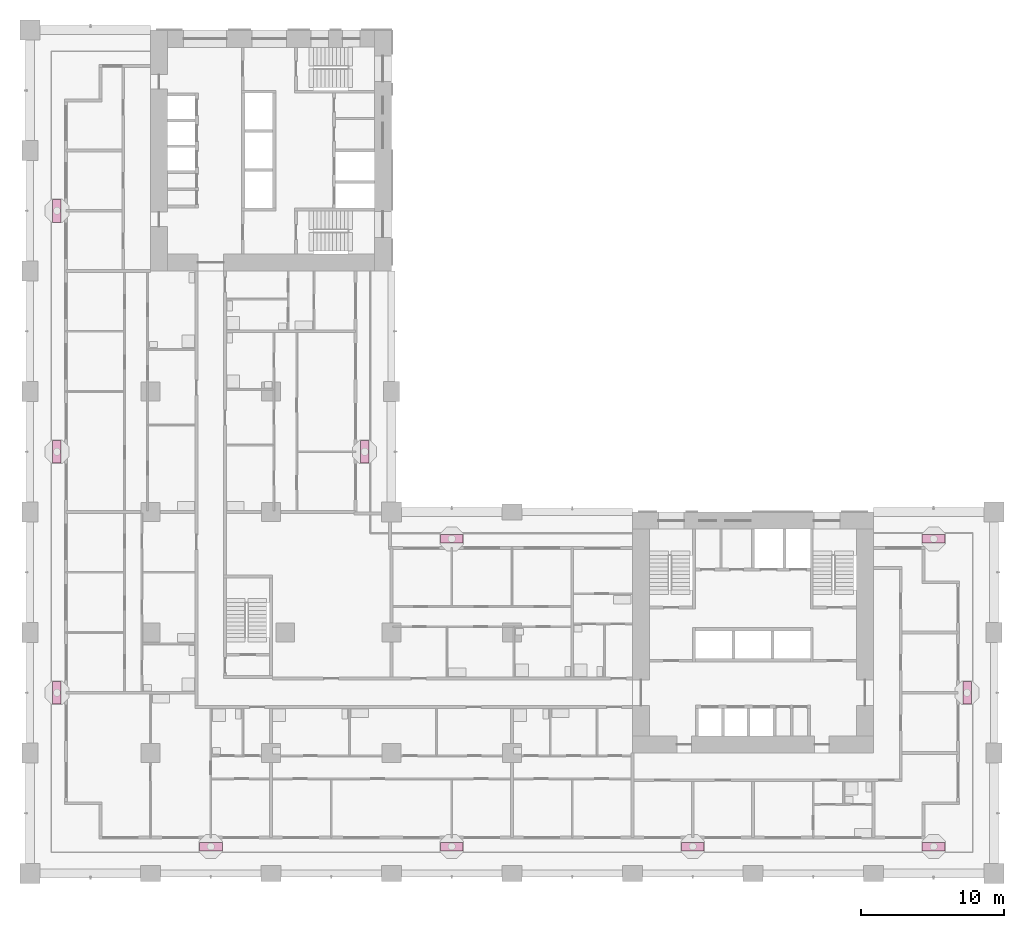
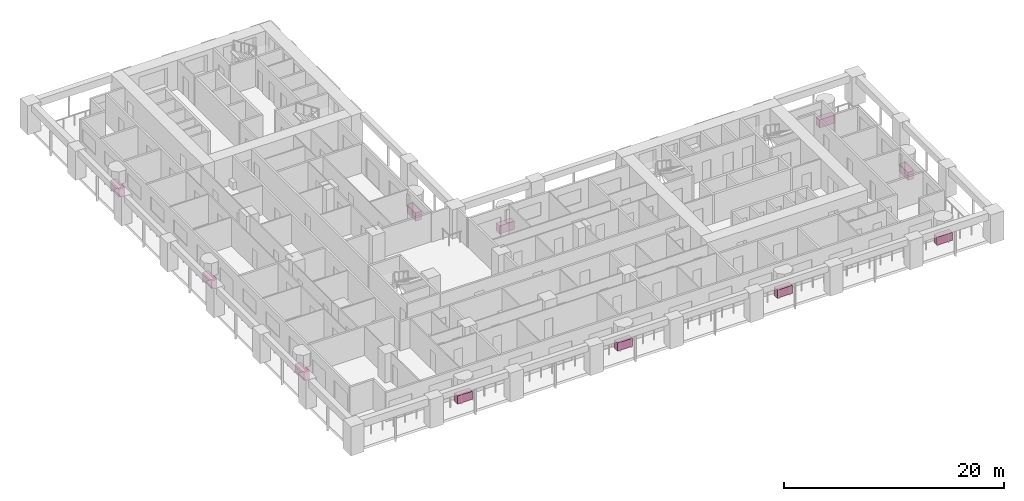
# One storey, part 19 of 20: 11 furniture elements.
"""IFC4 building model written with IfcOpenShell, lengths in metres."""

import ifcopenshell
import ifcopenshell.guid

model = None  # the IFC model being written
_history = None  # IfcOwnerHistory: only IFC2X3 demands one
_inside = {}  # id of a spatial element -> (the spatial element, [elements in it])
_under = {}  # id of a project, library or spatial element -> (it, [spatial elements below it])
_declared = {}  # id of a project -> (the project, [libraries it declares])
_typed = {}  # id of a type object -> (the type object, [elements of that type])
_made_of = {}  # id of a material, layer set ... -> (it, [elements and type objects made of it])


def new_model(schema):
    """Start an empty IFC model of exactly this schema.

    Asked for "IFC4X3", IfcOpenShell would pick the latest addendum, in which some entities
    have other attributes; the version numbers below select the first issue.
    IFC2X3 requires an IfcOwnerHistory on every rooted entity: one is made here for all.
    """
    global model, _history
    if schema == "IFC4X3":
        model = ifcopenshell.file(schema_version=(4, 3, 0, 0))
    else:
        model = ifcopenshell.file(schema=schema)
    _inside.clear()
    _under.clear()
    _declared.clear()
    _typed.clear()
    _made_of.clear()
    _history = None
    if model.schema == "IFC2X3":
        org = make("IfcOrganization", Name="unknown")
        user = make(
            "IfcPersonAndOrganization",
            ThePerson=make("IfcPerson", FamilyName="unknown"),
            TheOrganization=org,
        )
        app = make(
            "IfcApplication",
            ApplicationDeveloper=org,
            Version="unknown",
            ApplicationFullName="unknown",
            ApplicationIdentifier="unknown",
        )
        _history = make(
            "IfcOwnerHistory",
            OwningUser=user,
            OwningApplication=app,
            ChangeAction="ADDED",
            CreationDate=0,
        )
    return model


def make(cls, **values):
    """One entity of the class cls with the attributes given. An attribute that is None is left unset."""
    return model.create_entity(
        cls, **{name: value for name, value in values.items() if value is not None}
    )


def rooted(cls, **values):
    """An entity with a GlobalId (a new one), such as an element, a storey or a relation."""
    return make(cls, GlobalId=ifcopenshell.guid.new(), OwnerHistory=_history, **values)


def si_unit(unit_type, name, prefix=None):
    """IfcSIUnit, for example si_unit("LENGTHUNIT", "METRE", prefix="MILLI")."""
    return make("IfcSIUnit", UnitType=unit_type, Prefix=prefix, Name=name)


def assignment(units):
    """IfcUnitAssignment: the units of a project."""
    return None if units is None else make("IfcUnitAssignment", Units=units)


def point(xyz):
    """IfcCartesianPoint."""
    return None if xyz is None else make("IfcCartesianPoint", Coordinates=xyz)


def direction(xyz):
    """IfcDirection."""
    return None if xyz is None else make("IfcDirection", DirectionRatios=xyz)


def frame(location, z_axis=None, x_axis=None):
    """IfcAxis2Placement3D, a coordinate frame: its origin and axes. An axis left out is left unset."""
    return make(
        "IfcAxis2Placement3D",
        Location=point(location),
        Axis=direction(z_axis),
        RefDirection=direction(x_axis),
    )


def frame_2d(location, x_axis=None):
    """IfcAxis2Placement2D, a coordinate frame in the plane: its origin and x axis."""
    return make(
        "IfcAxis2Placement2D", Location=point(location), RefDirection=direction(x_axis)
    )


def origin():
    """The frame at (0, 0, 0) with its axes left unset."""
    return frame((0.0, 0.0, 0.0))


def origin_2d():
    """The frame at (0, 0) in the plane with its x axis left unset."""
    return frame_2d((0.0, 0.0))


def place(relative_to, where):
    """IfcLocalPlacement: puts the frame where relative to a parent placement (None: the world)."""
    return make(
        "IfcLocalPlacement", PlacementRelTo=relative_to, RelativePlacement=where
    )


def context(
    kind, dimensions, precision=None, world=None, true_north=None, identifier=None
):
    """IfcGeometricRepresentationContext, for example the 3D "Model" context."""
    return make(
        "IfcGeometricRepresentationContext",
        ContextIdentifier=identifier,
        ContextType=kind,
        CoordinateSpaceDimension=dimensions,
        Precision=precision,
        WorldCoordinateSystem=world,
        TrueNorth=true_north,
    )


def subcontext(parent, identifier, kind, view, scale=None):
    """IfcGeometricRepresentationSubContext, for example "Body" below "Model"."""
    return make(
        "IfcGeometricRepresentationSubContext",
        ContextIdentifier=identifier,
        ContextType=kind,
        ParentContext=parent,
        TargetScale=scale,
        TargetView=view,
    )


def project(units=None, contexts=None):
    """IfcProject with its units and contexts."""
    return rooted(
        "IfcProject",
        Name="project",
        RepresentationContexts=contexts,
        UnitsInContext=assignment(units),
    )


def spatial(cls, under=None, at=None, **own):
    """A site, building, storey or space (cls), placed at a placement, below another one or the project."""
    s = rooted(cls, ObjectPlacement=at, **own)
    if under is not None:
        _under.setdefault(under.id(), (under, []))[1].append(s)
    return s


def profile(cls, at=None, kind="AREA", **sizes):
    """A parametric profile (cls). Its sizes go by their IFC names, for example OverallWidth=200.0."""
    return make(cls, ProfileType=kind, Position=at, **sizes)


def rectangle(**sizes):
    """IfcRectangleProfileDef."""
    return profile("IfcRectangleProfileDef", **sizes)


def extrude(swept, where, along, depth):
    """IfcExtrudedAreaSolid: the profile swept, set in the frame where, extruded along a direction by depth."""
    return make(
        "IfcExtrudedAreaSolid",
        SweptArea=swept,
        Position=where,
        ExtrudedDirection=direction(along),
        Depth=depth,
    )


def shape(context_of_items, identifier, shape_type, items):
    """IfcShapeRepresentation: the items that make up one representation, for example the "Body"."""
    return make(
        "IfcShapeRepresentation",
        ContextOfItems=context_of_items,
        RepresentationIdentifier=identifier,
        RepresentationType=shape_type,
        Items=items,
    )


def material(Name=None, Category=None):
    """IfcMaterial."""
    return make("IfcMaterial", Name=Name, Category=Category)


def made_of(thing, what):
    """Note that an element or type object is made of a material, layer set ...; save() writes the relation."""
    if what is not None:
        _made_of.setdefault(what.id(), (what, []))[1].append(thing)
    return thing


def element(
    cls,
    number,
    at=None,
    inside=None,
    cuts=None,
    type_object=None,
    material=None,
    context=None,
    identifier="Body",
    shape_type=None,
    held_by="IfcProductDefinitionShape",
    body=None,
    shapes=None,
    **own,
):
    """One element of the class cls, such as IfcWall. Its Tag is "e" and its number.

    at: its placement. inside: the storey or other place that contains it. cuts: it is an
    opening in that element (IfcRelVoidsElement). A single representation is given by context,
    identifier, shape_type and body (its items); several are given by shapes. held_by: the class
    of the entity that holds the representations. save() writes the other relations.
    """
    e = rooted(cls, Tag="e%d" % number, ObjectPlacement=at, **own)
    if body is not None:
        shapes = [shape(context, identifier, shape_type, body)]
    if shapes is not None:
        e.Representation = make(held_by, Representations=shapes)
    if inside is not None:
        _inside.setdefault(inside.id(), (inside, []))[1].append(e)
    if cuts is not None:
        rooted(
            "IfcRelVoidsElement", RelatingBuildingElement=cuts, RelatedOpeningElement=e
        )
    if type_object is not None:
        _typed.setdefault(type_object.id(), (type_object, []))[1].append(e)
    return made_of(e, material)


def aggregate(whole, parts):
    """IfcRelAggregates: a whole, such as a stair, and the parts it consists of."""
    return rooted("IfcRelAggregates", RelatingObject=whole, RelatedObjects=parts)


def save(model, path):
    """Write the relations noted so far, then the file.

    IfcRelAggregates (storeys below a building ...), IfcRelContainedInSpatialStructure (elements
    in a storey), IfcRelDefinesByType, IfcRelAssociatesMaterial and IfcRelDeclares: one each for
    every whole, place, type object, material and project.
    """
    for whole, parts in _under.values():
        aggregate(whole, parts)
    for where, things in _inside.values():
        rooted(
            "IfcRelContainedInSpatialStructure",
            RelatedElements=things,
            RelatingStructure=where,
        )
    for kind, things in _typed.values():
        rooted("IfcRelDefinesByType", RelatedObjects=things, RelatingType=kind)
    for what, things in _made_of.values():
        rooted("IfcRelAssociatesMaterial", RelatedObjects=things, RelatingMaterial=what)
    for by, libraries in _declared.values():
        rooted("IfcRelDeclares", RelatingContext=by, RelatedDefinitions=libraries)
    model.write(path)


model = new_model("IFC4")

# Units and contexts
model_context = context("Model", 3, precision=1e-05, world=origin(), true_north=direction((0.0, 1.0)))
body_context = subcontext(model_context, "Body", "Model", "MODEL_VIEW")
ifc_project = project(units=[si_unit("LENGTHUNIT", "METRE"), si_unit("AREAUNIT", "SQUARE_METRE"), si_unit("VOLUMEUNIT", "CUBIC_METRE"), si_unit("PLANEANGLEUNIT", "RADIAN"), si_unit("MASSUNIT", "GRAM", prefix="KILO")], contexts=[model_context])

# Site, building, storey
site_placement = place(None, origin())
site = spatial("IfcSite", under=ifc_project, at=site_placement, CompositionType="ELEMENT")
building_placement = place(site_placement, origin())
building = spatial("IfcBuilding", under=site, at=building_placement, Name="Vermilion Gate Residences", CompositionType="ELEMENT")
storey_placement = place(building_placement, frame((0.0, 0.0, 35.699951171875)))
storey = spatial("IfcBuildingStorey", under=building, at=storey_placement, Name="L07", CompositionType="ELEMENT", Elevation=35.699951171875)

# Furniture
ifc_material = material(Name="Terracotta planter", Category="masonry")
for number, where, z_axis, x_axis, name in (
    (1, (12.60009765625, 1.875, 0.0), (0.0, 0.0, 1.0), (1.0, 0.0, 0.0), "PLANTER"),
    (2, (29.39990234375, 1.875, 0.0), (0.0, 0.0, 1.0), (1.0, 0.0, 0.0), "PLANTER"),
    (3, (46.199951171875, 1.875, 0.0), (0.0, 0.0, 1.0), (1.0, 0.0, 0.0), "PLANTER"),
    (4, (63.0, 1.875, 0.0), (0.0, 0.0, 1.0), (1.0, 0.0, 0.0), "PLANTER"),
    (5, (65.324951171875, 12.60009765625, 0.0), (0.0, 0.0, 1.0), (0.0, 1.0, 0.0), "PLANTER"),
    (6, (29.39990234375, 23.324951171875, 0.0), (0.0, 0.0, 1.0), (-1.0, 0.0, 0.0), "PLANTER"),
    (7, (63.0, 23.324951171875, 0.0), (0.0, 0.0, 1.0), (-1.0, 0.0, 0.0), "PLANTER"),
    (8, (23.324951171875, 29.39990234375, 0.0), (0.0, 0.0, 1.0), (0.0, 1.0, 0.0), "PLANTER"),
    (9, (1.875, 12.60009765625, 0.0), (0.0, 0.0, 1.0), (0.0, -1.0, 0.0), "PLANTER"),
    (10, (1.875, 29.39990234375, 0.0), (0.0, 0.0, 1.0), (0.0, -1.0, 0.0), "PLANTER"),
    (11, (1.875, 46.199951171875, 0.0), (0.0, 0.0, 1.0), (0.0, -1.0, 0.0), "PLANTER"),
):
    element("IfcFurniture", number, at=place(storey_placement, frame(where, z_axis=z_axis, x_axis=x_axis)), inside=storey, material=ifc_material, Name=name, ObjectType="PLANTER", PredefinedType="USERDEFINED", context=body_context, shape_type="SweptSolid", body=[
        extrude(rectangle(XDim=1.60009765625, YDim=0.60009765625, at=origin_2d()), origin(), (0.0, 0.0, 1.0), 0.89990234375),
    ])

save(model, "model.ifc")
